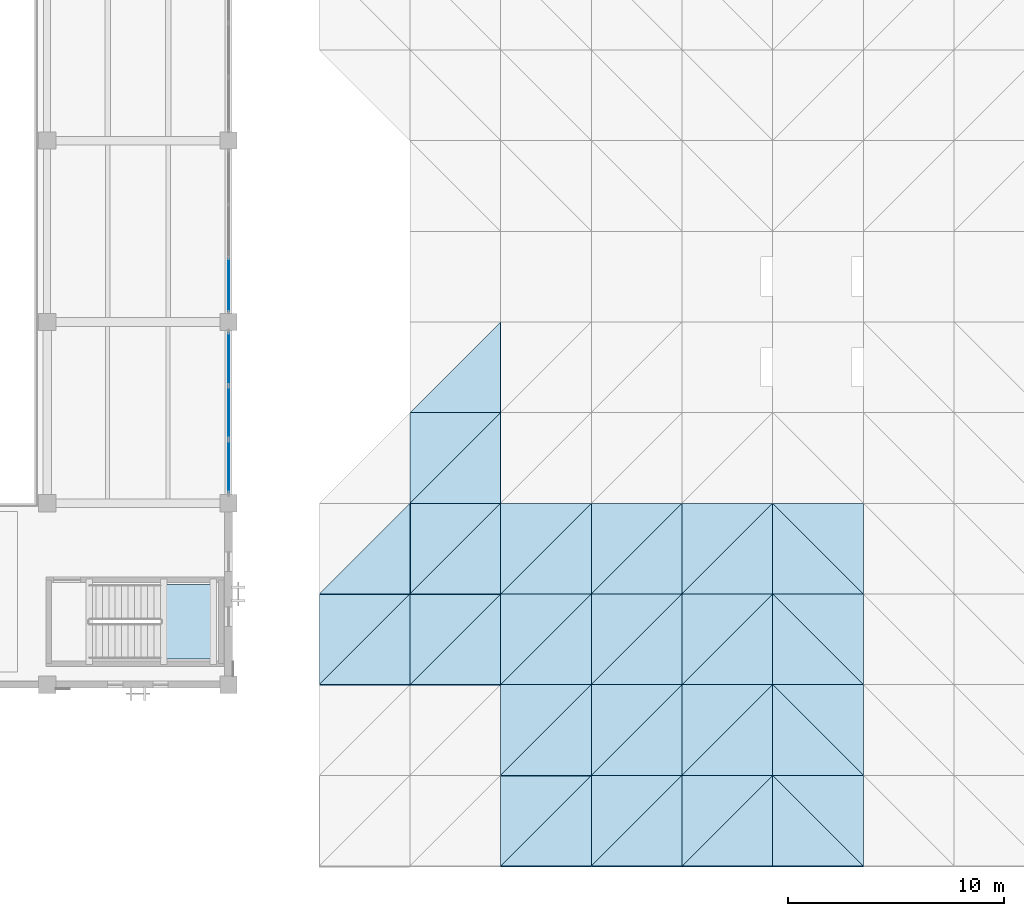
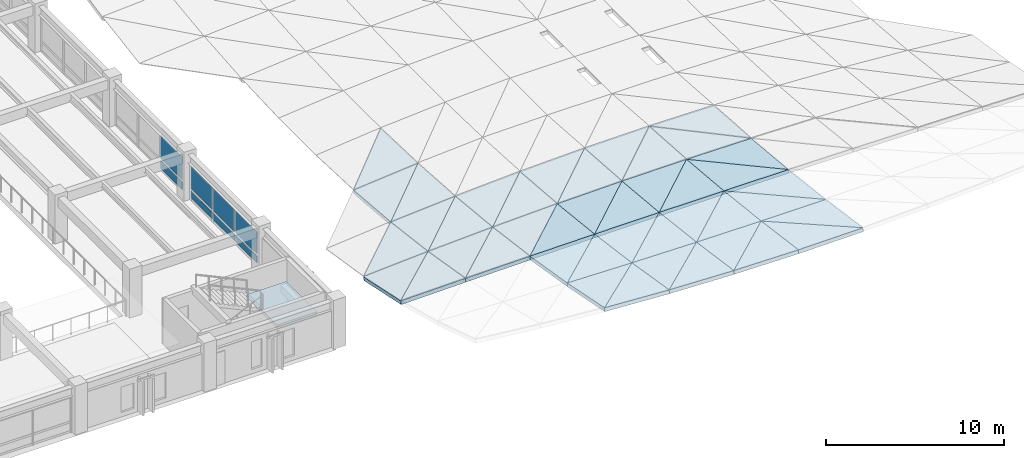
# One storey, part 62 of 123: 43 slabs, 8 plates, 3 elements without a shape of their own.
"""IFC4 building model written with IfcOpenShell, lengths in metres."""

import ifcopenshell
import ifcopenshell.guid

model = None  # the IFC model being written
_history = None  # IfcOwnerHistory: only IFC2X3 demands one
_inside = {}  # id of a spatial element -> (the spatial element, [elements in it])
_under = {}  # id of a project, library or spatial element -> (it, [spatial elements below it])
_declared = {}  # id of a project -> (the project, [libraries it declares])
_typed = {}  # id of a type object -> (the type object, [elements of that type])
_made_of = {}  # id of a material, layer set ... -> (it, [elements and type objects made of it])


def new_model(schema):
    """Start an empty IFC model of exactly this schema.

    Asked for "IFC4X3", IfcOpenShell would pick the latest addendum, in which some entities
    have other attributes; the version numbers below select the first issue.
    IFC2X3 requires an IfcOwnerHistory on every rooted entity: one is made here for all.
    """
    global model, _history
    if schema == "IFC4X3":
        model = ifcopenshell.file(schema_version=(4, 3, 0, 0))
    else:
        model = ifcopenshell.file(schema=schema)
    _inside.clear()
    _under.clear()
    _declared.clear()
    _typed.clear()
    _made_of.clear()
    _history = None
    if model.schema == "IFC2X3":
        org = make("IfcOrganization", Name="unknown")
        user = make(
            "IfcPersonAndOrganization",
            ThePerson=make("IfcPerson", FamilyName="unknown"),
            TheOrganization=org,
        )
        app = make(
            "IfcApplication",
            ApplicationDeveloper=org,
            Version="unknown",
            ApplicationFullName="unknown",
            ApplicationIdentifier="unknown",
        )
        _history = make(
            "IfcOwnerHistory",
            OwningUser=user,
            OwningApplication=app,
            ChangeAction="ADDED",
            CreationDate=0,
        )
    return model


def make(cls, **values):
    """One entity of the class cls with the attributes given. An attribute that is None is left unset."""
    return model.create_entity(
        cls, **{name: value for name, value in values.items() if value is not None}
    )


def rooted(cls, **values):
    """An entity with a GlobalId (a new one), such as an element, a storey or a relation."""
    return make(cls, GlobalId=ifcopenshell.guid.new(), OwnerHistory=_history, **values)


def si_unit(unit_type, name, prefix=None):
    """IfcSIUnit, for example si_unit("LENGTHUNIT", "METRE", prefix="MILLI")."""
    return make("IfcSIUnit", UnitType=unit_type, Prefix=prefix, Name=name)


def assignment(units):
    """IfcUnitAssignment: the units of a project."""
    return None if units is None else make("IfcUnitAssignment", Units=units)


def point(xyz):
    """IfcCartesianPoint."""
    return None if xyz is None else make("IfcCartesianPoint", Coordinates=xyz)


def direction(xyz):
    """IfcDirection."""
    return None if xyz is None else make("IfcDirection", DirectionRatios=xyz)


def frame(location, z_axis=None, x_axis=None):
    """IfcAxis2Placement3D, a coordinate frame: its origin and axes. An axis left out is left unset."""
    return make(
        "IfcAxis2Placement3D",
        Location=point(location),
        Axis=direction(z_axis),
        RefDirection=direction(x_axis),
    )


def frame_2d(location, x_axis=None):
    """IfcAxis2Placement2D, a coordinate frame in the plane: its origin and x axis."""
    return make(
        "IfcAxis2Placement2D", Location=point(location), RefDirection=direction(x_axis)
    )


def origin():
    """The frame at (0, 0, 0) with its axes left unset."""
    return frame((0.0, 0.0, 0.0))


def origin_2d():
    """The frame at (0, 0) in the plane with its x axis left unset."""
    return frame_2d((0.0, 0.0))


def place(relative_to, where):
    """IfcLocalPlacement: puts the frame where relative to a parent placement (None: the world)."""
    return make(
        "IfcLocalPlacement", PlacementRelTo=relative_to, RelativePlacement=where
    )


def context(
    kind, dimensions, precision=None, world=None, true_north=None, identifier=None
):
    """IfcGeometricRepresentationContext, for example the 3D "Model" context."""
    return make(
        "IfcGeometricRepresentationContext",
        ContextIdentifier=identifier,
        ContextType=kind,
        CoordinateSpaceDimension=dimensions,
        Precision=precision,
        WorldCoordinateSystem=world,
        TrueNorth=true_north,
    )


def subcontext(parent, identifier, kind, view, scale=None):
    """IfcGeometricRepresentationSubContext, for example "Body" below "Model"."""
    return make(
        "IfcGeometricRepresentationSubContext",
        ContextIdentifier=identifier,
        ContextType=kind,
        ParentContext=parent,
        TargetScale=scale,
        TargetView=view,
    )


def project(units=None, contexts=None):
    """IfcProject with its units and contexts."""
    return rooted(
        "IfcProject",
        Name="project",
        RepresentationContexts=contexts,
        UnitsInContext=assignment(units),
    )


def spatial(cls, under=None, at=None, **own):
    """A site, building, storey or space (cls), placed at a placement, below another one or the project."""
    s = rooted(cls, ObjectPlacement=at, **own)
    if under is not None:
        _under.setdefault(under.id(), (under, []))[1].append(s)
    return s


def polyline(points):
    """IfcPolyline through the points."""
    return make("IfcPolyline", Points=[point(p) for p in points])


def profile(cls, at=None, kind="AREA", **sizes):
    """A parametric profile (cls). Its sizes go by their IFC names, for example OverallWidth=200.0."""
    return make(cls, ProfileType=kind, Position=at, **sizes)


def rectangle(**sizes):
    """IfcRectangleProfileDef."""
    return profile("IfcRectangleProfileDef", **sizes)


def outline(outer, holes=None, kind="AREA"):
    """IfcArbitraryClosedProfileDef: a profile drawn as a closed curve; with holes, ...WithVoids."""
    if holes is None:
        return make("IfcArbitraryClosedProfileDef", ProfileType=kind, OuterCurve=outer)
    return make(
        "IfcArbitraryProfileDefWithVoids",
        ProfileType=kind,
        OuterCurve=outer,
        InnerCurves=holes,
    )


def extrude(swept, where, along, depth):
    """IfcExtrudedAreaSolid: the profile swept, set in the frame where, extruded along a direction by depth."""
    return make(
        "IfcExtrudedAreaSolid",
        SweptArea=swept,
        Position=where,
        ExtrudedDirection=direction(along),
        Depth=depth,
    )


def shape(context_of_items, identifier, shape_type, items):
    """IfcShapeRepresentation: the items that make up one representation, for example the "Body"."""
    return make(
        "IfcShapeRepresentation",
        ContextOfItems=context_of_items,
        RepresentationIdentifier=identifier,
        RepresentationType=shape_type,
        Items=items,
    )


def material(Name=None, Category=None):
    """IfcMaterial."""
    return make("IfcMaterial", Name=Name, Category=Category)


def layer(
    of_material, thickness, ventilated=None, Name=None, Category=None, Priority=None
):
    """IfcMaterialLayer: one layer of a wall or slab, of a material (None: an air gap)."""
    return make(
        "IfcMaterialLayer",
        Material=of_material,
        LayerThickness=thickness,
        IsVentilated=ventilated,
        Name=Name,
        Category=Category,
        Priority=Priority,
    )


def layer_set(layers, Name=None):
    """IfcMaterialLayerSet."""
    return make("IfcMaterialLayerSet", MaterialLayers=layers, LayerSetName=Name)


def made_of(thing, what):
    """Note that an element or type object is made of a material, layer set ...; save() writes the relation."""
    if what is not None:
        _made_of.setdefault(what.id(), (what, []))[1].append(thing)
    return thing


def type_object(cls, material=None, **own):
    """A type object (cls), such as IfcWallType, which elements share."""
    return made_of(rooted(cls, **own), material)


def element(
    cls,
    number,
    at=None,
    inside=None,
    cuts=None,
    type_object=None,
    material=None,
    context=None,
    identifier="Body",
    shape_type=None,
    held_by="IfcProductDefinitionShape",
    body=None,
    shapes=None,
    **own,
):
    """One element of the class cls, such as IfcWall. Its Tag is "e" and its number.

    at: its placement. inside: the storey or other place that contains it. cuts: it is an
    opening in that element (IfcRelVoidsElement). A single representation is given by context,
    identifier, shape_type and body (its items); several are given by shapes. held_by: the class
    of the entity that holds the representations. save() writes the other relations.
    """
    e = rooted(cls, Tag="e%d" % number, ObjectPlacement=at, **own)
    if body is not None:
        shapes = [shape(context, identifier, shape_type, body)]
    if shapes is not None:
        e.Representation = make(held_by, Representations=shapes)
    if inside is not None:
        _inside.setdefault(inside.id(), (inside, []))[1].append(e)
    if cuts is not None:
        rooted(
            "IfcRelVoidsElement", RelatingBuildingElement=cuts, RelatedOpeningElement=e
        )
    if type_object is not None:
        _typed.setdefault(type_object.id(), (type_object, []))[1].append(e)
    return made_of(e, material)


def aggregate(whole, parts):
    """IfcRelAggregates: a whole, such as a stair, and the parts it consists of."""
    return rooted("IfcRelAggregates", RelatingObject=whole, RelatedObjects=parts)


def save(model, path):
    """Write the relations noted so far, then the file.

    IfcRelAggregates (storeys below a building ...), IfcRelContainedInSpatialStructure (elements
    in a storey), IfcRelDefinesByType, IfcRelAssociatesMaterial and IfcRelDeclares: one each for
    every whole, place, type object, material and project.
    """
    for whole, parts in _under.values():
        aggregate(whole, parts)
    for where, things in _inside.values():
        rooted(
            "IfcRelContainedInSpatialStructure",
            RelatedElements=things,
            RelatingStructure=where,
        )
    for kind, things in _typed.values():
        rooted("IfcRelDefinesByType", RelatedObjects=things, RelatingType=kind)
    for what, things in _made_of.values():
        rooted("IfcRelAssociatesMaterial", RelatedObjects=things, RelatingMaterial=what)
    for by, libraries in _declared.values():
        rooted("IfcRelDeclares", RelatingContext=by, RelatedDefinitions=libraries)
    model.write(path)


model = new_model("IFC4")

# Units and contexts
model_context = context("Model", 3, precision=1e-05, world=origin(), true_north=direction((0.0, 1.0)))
body_context = subcontext(model_context, "Body", "Model", "MODEL_VIEW")
ifc_project = project(units=[si_unit("LENGTHUNIT", "METRE"), si_unit("AREAUNIT", "SQUARE_METRE"), si_unit("VOLUMEUNIT", "CUBIC_METRE"), si_unit("PLANEANGLEUNIT", "RADIAN"), si_unit("MASSUNIT", "GRAM", prefix="KILO")], contexts=[model_context])

# Site, building, storey
site_placement = place(None, origin())
site = spatial("IfcSite", under=ifc_project, at=site_placement, CompositionType="ELEMENT")
building_placement = place(site_placement, origin())
building = spatial("IfcBuilding", under=site, at=building_placement, Name="Cumbredor Promenade Congress Hotel", CompositionType="ELEMENT")
storey_placement = place(building_placement, frame((0.0, 0.0, 11.760009765625)))
storey = spatial("IfcBuildingStorey", under=building, at=storey_placement, Name="L03", CompositionType="ELEMENT", Elevation=11.760009765625)

# Stair, slab
ifc_material_1 = material(Name="Concrete C40/50", Category="concrete")
stair_type = type_object("IfcStairType", Name="Protected Dog-Leg Exit Stair ST-T3 1650mm", PredefinedType="HALF_TURN_STAIR", material=ifc_material_1)
stair_placement = place(storey_placement, origin())
stair = element("IfcStair", 1, at=stair_placement, inside=storey, type_object=stair_type, Name="L03 Protected Exit Stair ST-05", PredefinedType="HALF_TURN_STAIR")
ifc_layer_1 = layer(ifc_material_1, 0.199951171875, Name="Concrete C40/50", Category="concrete")
ifc_layer_set_1 = layer_set([ifc_layer_1], Name="Concrete C40/50")
slab_type_1 = type_object("IfcSlabType", Name="Concrete Stair Landing Slab 200mm", PredefinedType="LANDING", material=ifc_layer_set_1)
slab_1_placement = place(storey_placement, frame((0.0, 0.0, 1.47998046875)))
slab_1 = element("IfcSlab", 2, at=slab_1_placement, type_object=slab_type_1, Name="ST-05 landing 1", PredefinedType="LANDING", context=body_context, shape_type="SweptSolid", body=[
    extrude(outline(polyline([(64.050048828125, 9.60009765625), (66.64990234375, 9.60009765625), (66.64990234375, 13.050048828125), (64.050048828125, 13.050048828125), (64.050048828125, 9.60009765625)])), origin(), (0.0, 0.0, 1.0), 0.199951171875),
])
aggregate(stair, [slab_1])

# Curtain wall, plate
ifc_material_2 = material(Name="Thermally broken anodized aluminium and low-E glass", Category="aluminium")
curtain_wall_type = type_object("IfcCurtainWallType", Name="Unitised Bronze Curtain Wall CW-01", PredefinedType="NOTDEFINED", material=ifc_material_2)
curtain_wall_1_placement = place(storey_placement, origin())
curtain_wall_1 = element("IfcCurtainWall", 3, at=curtain_wall_1_placement, inside=storey, type_object=curtain_wall_type, Name="L03 Plenary Congress Hall East Curtain Wall 3", PredefinedType="NOTDEFINED")
ifc_material_3 = material(Name="Laminated low-E solar-control glass", Category="glass")
ifc_layer_2 = layer(ifc_material_3, 0.028076171875, Name="Laminated low-E solar-control glass", Category="glass")
ifc_layer_set_2 = layer_set([ifc_layer_2], Name="Laminated low-E solar-control glass")
plate_type_1 = type_object("IfcPlateType", Name="Glazed Vision Panel PNL-01", PredefinedType="CURTAIN_PANEL", material=ifc_layer_set_2)
plate_1_placement = place(storey_placement, frame((67.199951171875, 26.9033203125, 0.784912109375), z_axis=(0.0, 0.0, 1.0), x_axis=(0.0, 1.0, 0.0)))
plate_1 = element("IfcPlate", 4, at=plate_1_placement, type_object=plate_type_1, Name="L03 Plenary Congress Hall East Curtain Wall 3 Glazing Panel 1.2", PredefinedType="CURTAIN_PANEL", context=body_context, shape_type="SweptSolid", body=[
    extrude(rectangle(XDim=2.431640625, YDim=0.028076171875, at=origin_2d()), origin(), (0.0, 0.0, 1.0), 1.580078125),
])

# Curtain wall, plates
curtain_wall_2_placement = place(storey_placement, origin())
curtain_wall_2 = element("IfcCurtainWall", 5, at=curtain_wall_2_placement, inside=storey, type_object=curtain_wall_type, Name="L03 Plenary Congress Hall East Curtain Wall 2", PredefinedType="NOTDEFINED")
ifc_layer_3 = layer(ifc_material_3, 0.028076171875, Name="Laminated low-E solar-control glass", Category="glass")
ifc_layer_set_3 = layer_set([ifc_layer_3], Name="Laminated low-E solar-control glass")
plate_type_2 = type_object("IfcPlateType", Name="Glazed Vision Panel PNL-03", PredefinedType="CURTAIN_PANEL", material=ifc_layer_set_3)
plate_2_placement = place(storey_placement, frame((67.199951171875, 18.50341796875, 0.81005859375), z_axis=(0.0, 0.0, 1.0), x_axis=(0.0, 1.0, 0.0)))
plate_2 = element("IfcPlate", 6, at=plate_2_placement, type_object=plate_type_2, Name="L03 Plenary Congress Hall East Curtain Wall 2 Glazing Panel 1.2", PredefinedType="CURTAIN_PANEL", context=body_context, shape_type="SweptSolid", body=[
    extrude(rectangle(XDim=2.416748046875, YDim=0.028076171875, at=origin_2d()), origin(), (0.0, 0.0, 1.0), 1.5),
])
plate_3_placement = place(storey_placement, frame((67.199951171875, 21.0, 0.81005859375), z_axis=(0.0, 0.0, 1.0), x_axis=(0.0, 1.0, 0.0)))
plate_3 = element("IfcPlate", 7, at=plate_3_placement, type_object=plate_type_2, Name="L03 Plenary Congress Hall East Curtain Wall 2 Glazing Panel 2.2", PredefinedType="CURTAIN_PANEL", context=body_context, shape_type="SweptSolid", body=[
    extrude(rectangle(XDim=2.41650390625, YDim=0.028076171875, at=origin_2d()), origin(), (0.0, 0.0, 1.0), 1.5),
])
plate_4_placement = place(storey_placement, frame((67.199951171875, 23.49658203125, 0.81005859375), z_axis=(0.0, 0.0, 1.0), x_axis=(0.0, 1.0, 0.0)))
plate_4 = element("IfcPlate", 8, at=plate_4_placement, type_object=plate_type_2, Name="L03 Plenary Congress Hall East Curtain Wall 2 Glazing Panel 3.2", PredefinedType="CURTAIN_PANEL", context=body_context, shape_type="SweptSolid", body=[
    extrude(rectangle(XDim=2.416748046875, YDim=0.028076171875, at=origin_2d()), origin(), (0.0, 0.0, 1.0), 1.5),
])

# Plate
ifc_material_4 = material(Name="Thermally broken anodized aluminium", Category="aluminium")
ifc_layer_4 = layer(ifc_material_4, 0.0400390625, Name="Thermally broken anodized aluminium", Category="aluminium")
ifc_layer_set_4 = layer_set([ifc_layer_4], Name="Thermally broken anodized aluminium")
plate_type_3 = type_object("IfcPlateType", Name="Insulated Spandrel Panel PNL-05", PredefinedType="CURTAIN_PANEL", material=ifc_layer_set_4)
plate_5_placement = place(storey_placement, frame((67.199951171875, 26.9033203125, 0.125), z_axis=(0.0, 0.0, 1.0), x_axis=(0.0, 1.0, 0.0)))
plate_5 = element("IfcPlate", 9, at=plate_5_placement, type_object=plate_type_3, Name="L03 Plenary Congress Hall East Curtain Wall 3 Spandrel Panel 1.1", PredefinedType="CURTAIN_PANEL", context=body_context, shape_type="SweptSolid", body=[
    extrude(rectangle(XDim=2.431640625, YDim=0.0400390625, at=origin_2d()), origin(), (0.0, 0.0, 1.0), 0.530029296875),
])

aggregate(curtain_wall_1, [plate_5, plate_1])

ifc_layer_5 = layer(ifc_material_4, 0.0400390625, Name="Thermally broken anodized aluminium", Category="aluminium")
ifc_layer_set_5 = layer_set([ifc_layer_5], Name="Thermally broken anodized aluminium")
plate_type_4 = type_object("IfcPlateType", Name="Insulated Spandrel Panel PNL-06", PredefinedType="CURTAIN_PANEL", material=ifc_layer_set_5)
plate_6_placement = place(storey_placement, frame((67.199951171875, 18.50341796875, 0.18017578125), z_axis=(0.0, 0.0, 1.0), x_axis=(0.0, 1.0, 0.0)))
plate_6 = element("IfcPlate", 10, at=plate_6_placement, type_object=plate_type_4, Name="L03 Plenary Congress Hall East Curtain Wall 2 Spandrel Panel 1.1", PredefinedType="CURTAIN_PANEL", context=body_context, shape_type="SweptSolid", body=[
    extrude(rectangle(XDim=2.416748046875, YDim=0.0400390625, at=origin_2d()), origin(), (0.0, 0.0, 1.0), 0.449951171875),
])

plate_7_placement = place(storey_placement, frame((67.199951171875, 21.0, 0.18017578125), z_axis=(0.0, 0.0, 1.0), x_axis=(0.0, 1.0, 0.0)))
plate_7 = element("IfcPlate", 11, at=plate_7_placement, type_object=plate_type_4, Name="L03 Plenary Congress Hall East Curtain Wall 2 Spandrel Panel 2.1", PredefinedType="CURTAIN_PANEL", context=body_context, shape_type="SweptSolid", body=[
    extrude(rectangle(XDim=2.41650390625, YDim=0.0400390625, at=origin_2d()), origin(), (0.0, 0.0, 1.0), 0.449951171875),
])

plate_8_placement = place(storey_placement, frame((67.199951171875, 23.49658203125, 0.18017578125), z_axis=(0.0, 0.0, 1.0), x_axis=(0.0, 1.0, 0.0)))
plate_8 = element("IfcPlate", 12, at=plate_8_placement, type_object=plate_type_4, Name="L03 Plenary Congress Hall East Curtain Wall 2 Spandrel Panel 3.1", PredefinedType="CURTAIN_PANEL", context=body_context, shape_type="SweptSolid", body=[
    extrude(rectangle(XDim=2.416748046875, YDim=0.0400390625, at=origin_2d()), origin(), (0.0, 0.0, 1.0), 0.449951171875),
])

aggregate(curtain_wall_2, [plate_6, plate_2, plate_7, plate_3, plate_8, plate_4])

# Slabs
ifc_layer_6 = layer(ifc_material_1, 0.2451171875, Name="Concrete C40/50", Category="concrete")
ifc_layer_set_6 = layer_set([ifc_layer_6], Name="Concrete C40/50")
slab_type_2 = type_object("IfcSlabType", Name="Spa Catenary Roof Deck 245mm", PredefinedType="ROOF", material=ifc_layer_set_6)
slab_2_placement = place(storey_placement, frame((71.39990234375, 8.39990234375, 1.49267578125), z_axis=(-0.01742317198, 0.165749386072, 0.986013982708), x_axis=(0.999843916636, 0.0, 0.017667551189)))
element("IfcSlab", 13, at=slab_2_placement, inside=storey, type_object=slab_type_2, Name="Thermal Spa and Hydrotherapy Pavilion Sweeping Roof Deck Facet 1.3.1", PredefinedType="ROOF", context=body_context, shape_type="SweptSolid", body=[
    extrude(outline(polyline([(0.0, 0.0), (4.200850995453009, 1.734723475976807e-18), (4.188376738119289, 4.259107685629898), (0.0, 0.0)])), origin(), (0.0, 0.0, -1.0), 0.2451171875),
])
slab_3_placement = place(storey_placement, frame((71.39990234375, 8.39990234375, 1.49267578125), z_axis=(-0.059996718888, 0.206895023979, 0.976521808653), x_axis=(0.703140091223, 0.703140091223, -0.105773457108)))
element("IfcSlab", 14, at=slab_3_placement, inside=storey, type_object=slab_type_2, Name="Thermal Spa and Hydrotherapy Pavilion Sweeping Roof Deck Facet 1.3.2", PredefinedType="ROOF", context=body_context, shape_type="SweptSolid", body=[
    extrude(outline(polyline([(0.0, 0.0), (5.9734829018095015, -1.3877787807814457e-16), (3.047452729630566, 3.0243315500150025), (0.0, 0.0)])), origin(), (0.0, 0.0, -1.0), 0.2451171875),
])
slab_4_placement = place(storey_placement, frame((71.39990234375, 12.60009765625, 0.602783203125), z_axis=(-0.060844105391, 0.12480386787, 0.990314086239), x_axis=(0.998117938936, 0.0, 0.06132356786)))
element("IfcSlab", 15, at=slab_4_placement, inside=storey, type_object=slab_type_2, Name="Thermal Spa and Hydrotherapy Pavilion Sweeping Roof Deck Facet 1.4.1", PredefinedType="ROOF", context=body_context, shape_type="SweptSolid", body=[
    extrude(outline(polyline([(0.0, 0.0), (4.208115242352285, 6.938893903907228e-18), (4.1756568695204, 4.2330475407266634), (0.0, 0.0)])), origin(), (0.0, 0.0, -1.0), 0.2451171875),
])
slab_5_placement = place(storey_placement, frame((75.60009765625, 8.39990234375, 1.56689453125), z_axis=(-0.013595784884, 0.132781621137, 0.991052065091), x_axis=(0.999905914145, 0.0, 0.013717246744)))
element("IfcSlab", 16, at=slab_5_placement, inside=storey, type_object=slab_type_2, Name="Thermal Spa and Hydrotherapy Pavilion Sweeping Roof Deck Facet 2.3.1", PredefinedType="ROOF", context=body_context, shape_type="SweptSolid", body=[
    extrude(outline(polyline([(0.0, 0.0), (4.2003463650548625, 0.0), (4.192627064824132, 4.237718967010282), (0.0, 0.0)])), origin(), (0.0, 0.0, -1.0), 0.2451171875),
])
slab_6_placement = place(storey_placement, frame((75.60009765625, 8.39990234375, 1.56689453125), z_axis=(-0.047126138535, 0.165590365392, 0.985067996615), x_axis=(0.704543197141, 0.704584151812, -0.084735213328)))
element("IfcSlab", 17, at=slab_6_placement, inside=storey, type_object=slab_type_2, Name="Thermal Spa and Hydrotherapy Pavilion Sweeping Roof Deck Facet 2.3.2", PredefinedType="ROOF", context=body_context, shape_type="SweptSolid", body=[
    extrude(outline(polyline([(0.0, 0.0), (5.961240118302106, -4.163336342344337e-17), (3.0192187462681486, 3.004075905677266), (0.0, 0.0)])), origin(), (0.0, 0.0, -1.0), 0.2451171875),
])
slab_7_placement = place(storey_placement, frame((75.60009765625, 12.60009765625, 0.86083984375), z_axis=(-0.047546844319, 0.099888813886, 0.993861923235), x_axis=(0.998857604206, 0.0, 0.047785840159)))
element("IfcSlab", 18, at=slab_7_placement, inside=storey, type_object=slab_type_2, Name="Thermal Spa and Hydrotherapy Pavilion Sweeping Roof Deck Facet 2.4.1", PredefinedType="ROOF", context=body_context, shape_type="SweptSolid", body=[
    extrude(outline(polyline([(0.0, 0.0), (4.204754665919911, 0.0), (4.184583348137795, 4.221062370180653), (0.0, 0.0)])), origin(), (0.0, 0.0, -1.0), 0.2451171875),
])
slab_8_placement = place(storey_placement, frame((75.60009765625, 12.60009765625, 0.86083984375), z_axis=(-0.072591572305, 0.124705648778, 0.989534721368), x_axis=(0.706616978007, 0.706616978007, -0.037214147653)))
element("IfcSlab", 19, at=slab_8_placement, inside=storey, type_object=slab_type_2, Name="Thermal Spa and Hydrotherapy Pavilion Sweeping Roof Deck Facet 2.4.2", PredefinedType="ROOF", context=body_context, shape_type="SweptSolid", body=[
    extrude(outline(polyline([(0.0, 0.0), (5.943745059343244, -5.447031714567174e-16), (2.987454136904249, 2.9991436791045274), (0.0, 0.0)])), origin(), (0.0, 0.0, -1.0), 0.2451171875),
])
slab_9_placement = place(storey_placement, frame((75.60009765625, 16.800048828125, 0.33154296875), z_axis=(-0.073000075678, 0.066637153076, 0.995103250312), x_axis=(0.997320018789, 0.0, 0.073162696257)))
element("IfcSlab", 20, at=slab_9_placement, inside=storey, type_object=slab_type_2, Name="Thermal Spa and Hydrotherapy Pavilion Sweeping Roof Deck Facet 2.5.1", PredefinedType="ROOF", context=body_context, shape_type="SweptSolid", body=[
    extrude(outline(polyline([(0.0, 0.0), (4.211237208470671, 3.469446951953614e-18), (4.190660200148357, 4.2093073058833195), (0.0, 0.0)])), origin(), (0.0, 0.0, -1.0), 0.2451171875),
])
slab_10_placement = place(storey_placement, frame((75.60009765625, 16.800048828125, 0.33154296875), z_axis=(-0.089767614884, 0.083421575271, 0.992462904142), x_axis=(0.707099553566, 0.707099553566, 0.004521359698)))
element("IfcSlab", 21, at=slab_10_placement, inside=storey, type_object=slab_type_2, Name="Thermal Spa and Hydrotherapy Pavilion Sweeping Roof Deck Facet 2.5.2", PredefinedType="ROOF", context=body_context, shape_type="SweptSolid", body=[
    extrude(outline(polyline([(0.0, 0.0), (5.939688620497725, 6.895525817007808e-17), (2.9681874350273394, 2.992337130424177), (0.0, 0.0)])), origin(), (0.0, 0.0, -1.0), 0.2451171875),
])
slab_11_placement = place(storey_placement, frame((75.60009765625, 21.0, -0.021484375), z_axis=(-0.090031391617, 0.033385676711, 0.995379196645), x_axis=(0.995934387325, 0.0, 0.090081608247)))
element("IfcSlab", 22, at=slab_11_placement, inside=storey, type_object=slab_type_2, Name="Thermal Spa and Hydrotherapy Pavilion Sweeping Roof Deck Facet 2.6.1", PredefinedType="ROOF", context=body_context, shape_type="SweptSolid", body=[
    extrude(outline(polyline([(0.0, 0.0), (4.2170962518499735, 1.734723475976807e-18), (4.204406533110069, 4.202293770306035), (0.0, 0.0)])), origin(), (0.0, 0.0, -1.0), 0.2451171875),
])
slab_12_placement = place(storey_placement, frame((79.800048828125, 0.0, 3.171875), z_axis=(0.056294469809, 0.162011246277, 0.985181855674), x_axis=(0.998371428865, 0.0, -0.0570481378)))
element("IfcSlab", 23, at=slab_12_placement, inside=storey, type_object=slab_type_2, Name="Thermal Spa and Hydrotherapy Pavilion Sweeping Roof Deck Facet 3.1.1", PredefinedType="ROOF", context=body_context, shape_type="SweptSolid", body=[
    extrude(outline(polyline([(0.0, 0.0), (4.206802248588535, -6.938893903907228e-18), (4.246203904310292, 4.2561799412756764), (0.0, 0.0)])), origin(), (0.0, 0.0, -1.0), 0.2451171875),
])
slab_13_placement = place(storey_placement, frame((79.800048828125, 0.0, 3.171875), z_axis=(0.020227342875, 0.196974434701, 0.980199942193), x_axis=(0.698583353557, 0.698583353557, -0.154798566748)))
element("IfcSlab", 24, at=slab_13_placement, inside=storey, type_object=slab_type_2, Name="Thermal Spa and Hydrotherapy Pavilion Sweeping Roof Deck Facet 3.1.2", PredefinedType="ROOF", context=body_context, shape_type="SweptSolid", body=[
    extrude(outline(polyline([(0.0, 0.0), (6.012097411843672, -5.551115123125783e-17), (3.0646650577346866, 2.9932831539036813), (0.0, 0.0)])), origin(), (0.0, 0.0, -1.0), 0.2451171875),
])
slab_14_placement = place(storey_placement, frame((79.800048828125, 4.199951171875, 2.327880859375), z_axis=(0.020440500208, 0.135770984479, 0.990529366412), x_axis=(0.99978714706, 0.0, -0.020631543173)))
element("IfcSlab", 25, at=slab_14_placement, inside=storey, type_object=slab_type_2, Name="Thermal Spa and Hydrotherapy Pavilion Sweeping Roof Deck Facet 3.2.1", PredefinedType="ROOF", context=body_context, shape_type="SweptSolid", body=[
    extrude(outline(polyline([(0.0, 0.0), (4.20084533415502, -1.734723475976807e-18), (4.2127225750735, 4.239205158681903), (0.0, 0.0)])), origin(), (0.0, 0.0, -1.0), 0.2451171875),
])
slab_15_placement = place(storey_placement, frame((79.800048828125, 4.199951171875, 2.327880859375), z_axis=(-0.009631159538, 0.165162920406, 0.986219270999), x_axis=(0.702750773455, 0.702750773455, -0.11082734688)))
element("IfcSlab", 26, at=slab_15_placement, inside=storey, type_object=slab_type_2, Name="Thermal Spa and Hydrotherapy Pavilion Sweeping Roof Deck Facet 3.2.2", PredefinedType="ROOF", context=body_context, shape_type="SweptSolid", body=[
    extrude(outline(polyline([(0.0, 0.0), (5.976444751851152, -1.5265566588595902e-16), (3.0294714702417824, 2.9927613678856573), (0.0, 0.0)])), origin(), (0.0, 0.0, -1.0), 0.2451171875),
])
slab_16_placement = place(storey_placement, frame((79.800048828125, 8.39990234375, 1.62451171875), z_axis=(-0.009707123548, 0.108967683698, 0.9939978952), x_axis=(0.999952318586, 0.0, 0.00976527289)))
element("IfcSlab", 27, at=slab_16_placement, inside=storey, type_object=slab_type_2, Name="Thermal Spa and Hydrotherapy Pavilion Sweeping Roof Deck Facet 3.3.1", PredefinedType="ROOF", context=body_context, shape_type="SweptSolid", body=[
    extrude(outline(polyline([(0.0, 0.0), (4.200151441034993, -8.673617379884035e-19), (4.195655028762026, 4.225356071205258), (0.0, 0.0)])), origin(), (0.0, 0.0, -1.0), 0.2451171875),
])
slab_17_placement = place(storey_placement, frame((79.800048828125, 8.39990234375, 1.62451171875), z_axis=(-0.033800435751, 0.132718016709, 0.990577335993), x_axis=(0.705329905683, 0.705370906084, -0.070438689645)))
element("IfcSlab", 28, at=slab_17_placement, inside=storey, type_object=slab_type_2, Name="Thermal Spa and Hydrotherapy Pavilion Sweeping Roof Deck Facet 3.3.2", PredefinedType="ROOF", context=body_context, shape_type="SweptSolid", body=[
    extrude(outline(polyline([(0.0, 0.0), (5.954591089978153, -1.5265566588595902e-16), (3.002334533180626, 2.9907037602921847), (0.0, 0.0)])), origin(), (0.0, 0.0, -1.0), 0.2451171875),
])
slab_18_placement = place(storey_placement, frame((79.800048828125, 12.60009765625, 1.061767578125), z_axis=(-0.033987624499, 0.081871381671, 0.996063209964), x_axis=(0.999418353939, 0.0, 0.034102108572)))
element("IfcSlab", 29, at=slab_18_placement, inside=storey, type_object=slab_type_2, Name="Thermal Spa and Hydrotherapy Pavilion Sweeping Roof Deck Facet 3.4.1", PredefinedType="ROOF", context=body_context, shape_type="SweptSolid", body=[
    extrude(outline(polyline([(0.0, 0.0), (4.202395478650219, 1.734723475976807e-18), (4.190622924568024, 4.214098307046232), (0.0, 0.0)])), origin(), (0.0, 0.0, -1.0), 0.2451171875),
])
slab_19_placement = place(storey_placement, frame((79.800048828125, 12.60009765625, 1.061767578125), z_axis=(-0.052099032144, 0.099866104852, 0.993635975572), x_axis=(0.706698601416, 0.706698601416, -0.033973129301)))
element("IfcSlab", 30, at=slab_19_placement, inside=storey, type_object=slab_type_2, Name="Thermal Spa and Hydrotherapy Pavilion Sweeping Roof Deck Facet 3.4.2", PredefinedType="ROOF", context=body_context, shape_type="SweptSolid", body=[
    extrude(outline(polyline([(0.0, 0.0), (5.943058559139811, -1.4224732503009818e-16), (2.982440327322809, 2.987109658009694), (0.0, 0.0)])), origin(), (0.0, 0.0, -1.0), 0.2451171875),
])
slab_20_placement = place(storey_placement, frame((84.0, 0.0, 2.931884765625), z_axis=(0.033875908374, 0.141082518236, 0.989418084472), x_axis=(0.999414387158, 0.0, -0.034218163927)))
element("IfcSlab", 31, at=slab_20_placement, inside=storey, type_object=slab_type_2, Name="Thermal Spa and Hydrotherapy Pavilion Sweeping Roof Deck Facet 4.1.1", PredefinedType="ROOF", context=body_context, shape_type="SweptSolid", body=[
    extrude(outline(polyline([(0.0, 0.0), (4.202412158404303, 0.0), (4.222904628158422, 4.242384177535298), (0.0, 0.0)])), origin(), (0.0, 0.0, -1.0), 0.2451171875),
])
slab_21_placement = place(storey_placement, frame((84.0, 0.0, 2.931884765625), z_axis=(0.012216552211, 0.162256461051, 0.986672993802), x_axis=(0.701643183062, 0.701643183062, -0.124071299359)))
element("IfcSlab", 32, at=slab_21_placement, inside=storey, type_object=slab_type_2, Name="Thermal Spa and Hydrotherapy Pavilion Sweeping Roof Deck Facet 4.1.2", PredefinedType="ROOF", context=body_context, shape_type="SweptSolid", body=[
    extrude(outline(polyline([(0.0, 0.0), (5.985878967062704, -3.0531133177191805e-16), (3.0325599082290453, 2.986670485003806), (0.0, 0.0)])), origin(), (0.0, 0.0, -1.0), 0.2451171875),
])
slab_22_placement = place(storey_placement, frame((84.0, 4.199951171875, 2.2412109375), z_axis=(0.012294149294, 0.117977658011, 0.992940142256), x_axis=(0.999923357281, 0.0, -0.012380612399)))
element("IfcSlab", 33, at=slab_22_placement, inside=storey, type_object=slab_type_2, Name="Thermal Spa and Hydrotherapy Pavilion Sweeping Roof Deck Facet 4.2.1", PredefinedType="ROOF", context=body_context, shape_type="SweptSolid", body=[
    extrude(outline(polyline([(0.0, 0.0), (4.200273092224242, 0.0), (4.206451307981973, 4.229488865922046), (0.0, 0.0)])), origin(), (0.0, 0.0, -1.0), 0.2451171875),
])
slab_23_placement = place(storey_placement, frame((84.0, 4.199951171875, 2.2412109375), z_axis=(-0.005816583131, 0.135797059638, 0.990719600066), x_axis=(0.704083438031, 0.704083438031, -0.092374371891)))
element("IfcSlab", 34, at=slab_23_placement, inside=storey, type_object=slab_type_2, Name="Thermal Spa and Hydrotherapy Pavilion Sweeping Roof Deck Facet 4.2.2", PredefinedType="ROOF", context=body_context, shape_type="SweptSolid", body=[
    extrude(outline(polyline([(0.0, 0.0), (5.965132745663068, -2.0122792321330962e-16), (3.0102944710345514, 2.984816350113674), (0.0, 0.0)])), origin(), (0.0, 0.0, -1.0), 0.2451171875),
])
slab_24_placement = place(storey_placement, frame((84.0, 8.39990234375, 1.66552734375), z_axis=(-0.005844666112, 0.094550785274, 0.995502882408), x_axis=(0.99998276572, 0.0, 0.005870967816)))
element("IfcSlab", 35, at=slab_24_placement, inside=storey, type_object=slab_type_2, Name="Thermal Spa and Hydrotherapy Pavilion Sweeping Roof Deck Facet 4.3.1", PredefinedType="ROOF", context=body_context, shape_type="SweptSolid", body=[
    extrude(outline(polyline([(0.0, 0.0), (4.20002355625722, 0.0), (4.19768147583455, 4.219096699146891), (0.0, 0.0)])), origin(), (0.0, 0.0, -1.0), 0.2451171875),
])
slab_25_placement = place(storey_placement, frame((84.0, 8.39990234375, 1.66552734375), z_axis=(-0.020393234648, 0.108950155595, 0.993838004695), x_axis=(0.705686731842, 0.705727752985, -0.062885413004)))
element("IfcSlab", 36, at=slab_25_placement, inside=storey, type_object=slab_type_2, Name="Thermal Spa and Hydrotherapy Pavilion Sweeping Roof Deck Facet 4.3.2", PredefinedType="ROOF", context=body_context, shape_type="SweptSolid", body=[
    extrude(outline(polyline([(0.0, 0.0), (5.951580187590243, -7.632783294297951e-17), (2.9931499392787058, 2.9823996357279716), (0.0, 0.0)])), origin(), (0.0, 0.0, -1.0), 0.2451171875),
])
slab_26_placement = place(storey_placement, frame((84.0, 12.60009765625, 1.205078125), z_axis=(-0.020463395145, 0.071129138365, 0.997257186053), x_axis=(0.999789537892, 0.0, 0.020515358186)))
element("IfcSlab", 37, at=slab_26_placement, inside=storey, type_object=slab_type_2, Name="Thermal Spa and Hydrotherapy Pavilion Sweeping Roof Deck Facet 4.4.1", PredefinedType="ROOF", context=body_context, shape_type="SweptSolid", body=[
    extrude(outline(polyline([(0.0, 0.0), (4.200835288524772, 0.0), (4.1946896966072, 4.210616178076342), (0.0, 0.0)])), origin(), (0.0, 0.0, -1.0), 0.2451171875),
])
slab_27_placement = place(storey_placement, frame((84.0, 12.60009765625, 1.205078125), z_axis=(-0.031269074977, 0.081878651885, 0.996151660801), x_axis=(0.706650933896, 0.706650933896, -0.035901465804)))
element("IfcSlab", 38, at=slab_27_placement, inside=storey, type_object=slab_type_2, Name="Thermal Spa and Hydrotherapy Pavilion Sweeping Roof Deck Facet 4.4.2", PredefinedType="ROOF", context=body_context, shape_type="SweptSolid", body=[
    extrude(outline(polyline([(0.0, 0.0), (5.943459451354978, -3.2612801348363973e-16), (2.980293136832387, 2.979365025140306), (0.0, 0.0)])), origin(), (0.0, 0.0, -1.0), 0.2451171875),
])
slab_28_placement = place(storey_placement, frame((88.199951171875, 0.0, 2.7880859375), z_axis=(0.011347411433, 0.134037697489, 0.990911263386), x_axis=(0.999934438125, 0.0, -0.011450740238)))
element("IfcSlab", 39, at=slab_28_placement, inside=storey, type_object=slab_type_2, Name="Thermal Spa and Hydrotherapy Pavilion Sweeping Roof Deck Facet 5.1.1", PredefinedType="ROOF", context=body_context, shape_type="SweptSolid", body=[
    extrude(outline(polyline([(0.0, 0.0), (4.200226546603561, 8.673617379884035e-19), (4.206731886577517, 4.23819565926527), (0.0, 0.0)])), origin(), (0.0, 0.0, -1.0), 0.2451171875),
])
slab_29_placement = place(storey_placement, frame((88.199951171875, 0.0, 2.7880859375), z_axis=(0.00408582456, 0.14116236122, 0.989978026934), x_axis=(0.703331870157, 0.703331870157, -0.103191864226)))
element("IfcSlab", 40, at=slab_29_placement, inside=storey, type_object=slab_type_2, Name="Thermal Spa and Hydrotherapy Pavilion Sweeping Roof Deck Facet 5.1.2", PredefinedType="ROOF", context=body_context, shape_type="SweptSolid", body=[
    extrude(outline(polyline([(0.0, 0.0), (5.971506979964355, 5.342948306008566e-16), (3.0157587415185416, 2.983863714058163), (0.0, 0.0)])), origin(), (0.0, 0.0, -1.0), 0.2451171875),
])
slab_30_placement = place(storey_placement, frame((88.199951171875, 4.199951171875, 2.189208984375), z_axis=(0.004101183505, 0.112002743884, 0.993699434264), x_axis=(0.999991483272, 0.0, -0.004127151968)))
element("IfcSlab", 41, at=slab_30_placement, inside=storey, type_object=slab_type_2, Name="Thermal Spa and Hydrotherapy Pavilion Sweeping Roof Deck Facet 5.2.1", PredefinedType="ROOF", context=body_context, shape_type="SweptSolid", body=[
    extrude(outline(polyline([(0.0, 0.0), (4.199986942021189, 0.0), (4.201940689010134, 4.226545026811671), (0.0, 0.0)])), origin(), (0.0, 0.0, -1.0), 0.2451171875),
])
slab_31_placement = place(storey_placement, frame((88.199951171875, 4.199951171875, 2.189208984375), z_axis=(-0.001962590911, 0.117986347726, 0.99301327785), x_axis=(0.704705780047, 0.704705780047, -0.082337883968)))
element("IfcSlab", 42, at=slab_31_placement, inside=storey, type_object=slab_type_2, Name="Thermal Spa and Hydrotherapy Pavilion Sweeping Roof Deck Facet 5.2.2", PredefinedType="ROOF", context=body_context, shape_type="SweptSolid", body=[
    extrude(outline(polyline([(0.0, 0.0), (5.959864798602854, 1.3877787807814457e-17), (3.0008184006301244, 2.980554170577707), (0.0, 0.0)])), origin(), (0.0, 0.0, -1.0), 0.2451171875),
])
slab_32_placement = place(storey_placement, frame((88.199951171875, 8.39990234375, 1.690185546875), z_axis=(-0.001968412545, 0.089789129364, 0.995958853367), x_axis=(0.999998046928, 0.0, 0.001976395605)))
element("IfcSlab", 43, at=slab_32_placement, inside=storey, type_object=slab_type_2, Name="Thermal Spa and Hydrotherapy Pavilion Sweeping Roof Deck Facet 5.3.1", PredefinedType="ROOF", context=body_context, shape_type="SweptSolid", body=[
    extrude(outline(polyline([(0.0, 0.0), (4.199959374696801, 0.0), (4.199210988567993, 4.217229552222821), (0.0, 0.0)])), origin(), (0.0, 0.0, -1.0), 0.2451171875),
])
slab_33_placement = place(storey_placement, frame((88.199951171875, 8.39990234375, 1.690185546875), z_axis=(-0.006770514272, 0.094550233089, 0.995497068584), x_axis=(0.705715708217, 0.705756731045, -0.062231629911)))
element("IfcSlab", 44, at=slab_33_placement, inside=storey, type_object=slab_type_2, Name="Thermal Spa and Hydrotherapy Pavilion Sweeping Roof Deck Facet 5.3.2", PredefinedType="ROOF", context=body_context, shape_type="SweptSolid", body=[
    extrude(outline(polyline([(0.0, 0.0), (5.951335818339584, -5.863365348801608e-16), (2.989141915079706, 2.9775515198912226), (0.0, 0.0)])), origin(), (0.0, 0.0, -1.0), 0.2451171875),
])
slab_34_placement = place(storey_placement, frame((88.199951171875, 12.60009765625, 1.291259765625), z_axis=(-0.00678549434, 0.067448973654, 0.997699650706), x_axis=(0.999976873054, 0.0, 0.006800982047)))
element("IfcSlab", 45, at=slab_34_placement, inside=storey, type_object=slab_type_2, Name="Thermal Spa and Hydrotherapy Pavilion Sweeping Roof Deck Facet 5.4.1", PredefinedType="ROOF", context=body_context, shape_type="SweptSolid", body=[
    extrude(outline(polyline([(0.0, 0.0), (4.200048306164646, 2.168404344971009e-19), (4.198117265607963, 4.209537446323024), (0.0, 0.0)])), origin(), (0.0, 0.0, -1.0), 0.2451171875),
])
slab_35_placement = place(storey_placement, frame((88.199951171875, 12.60009765625, 1.291259765625), z_axis=(-0.010494182058, 0.071140118148, 0.997411126734), x_axis=(0.706454134093, 0.706454134093, -0.04295477674)))
element("IfcSlab", 46, at=slab_35_placement, inside=storey, type_object=slab_type_2, Name="Thermal Spa and Hydrotherapy Pavilion Sweeping Roof Deck Facet 5.4.2", PredefinedType="ROOF", context=body_context, shape_type="SweptSolid", body=[
    extrude(outline(polyline([(0.0, 0.0), (5.945115145040628, 2.7755575615628914e-16), (2.979940424772536, 2.974774181712742), (0.0, 0.0)])), origin(), (0.0, 0.0, -1.0), 0.2451171875),
])
slab_36_placement = place(storey_placement, frame((92.39990234375, 0.0, 2.739990234375), z_axis=(-0.011346751938, 0.134037698492, 0.990911270802), x_axis=(0.999934445746, 0.0, 0.011450074739)))
element("IfcSlab", 47, at=slab_36_placement, inside=storey, type_object=slab_type_2, Name="Thermal Spa and Hydrotherapy Pavilion Sweeping Roof Deck Facet 6.1.1", PredefinedType="ROOF", context=body_context, shape_type="SweptSolid", body=[
    extrude(outline(polyline([(0.0, 0.0), (4.200470671223174, 8.673617379884035e-19), (-0.006504961894028199, 4.23819565984558), (0.0, 0.0)])), origin(), (0.0, 0.0, -1.0), 0.2451171875),
])
slab_37_placement = place(storey_placement, frame((96.60009765625, 0.0, 2.7880859375), z_axis=(-0.004085587072, 0.141162361357, 0.989978027895), x_axis=(0.0, 0.989986290366, -0.141163539514)))
element("IfcSlab", 48, at=slab_37_placement, inside=storey, type_object=slab_type_2, Name="Thermal Spa and Hydrotherapy Pavilion Sweeping Roof Deck Facet 6.1.2", PredefinedType="ROOF", context=body_context, shape_type="SweptSolid", body=[
    extrude(outline(polyline([(0.0, 0.0), (4.24243367079775, 0.0), (4.244880597386013, 4.200230367814551), (0.0, 0.0)])), origin(), (0.0, 0.0, -1.0), 0.2451171875),
])
slab_38_placement = place(storey_placement, frame((92.39990234375, 4.199951171875, 2.171875), z_axis=(-0.004100945123, 0.112002743994, 0.993699435235), x_axis=(0.999991484262, 0.0, 0.004126912078)))
element("IfcSlab", 49, at=slab_38_placement, inside=storey, type_object=slab_type_2, Name="Thermal Spa and Hydrotherapy Pavilion Sweeping Roof Deck Facet 6.2.1", PredefinedType="ROOF", context=body_context, shape_type="SweptSolid", body=[
    extrude(outline(polyline([(0.0, 0.0), (4.200231080567031, 0.0), (-0.001953633427348355, 4.226545026864163), (0.0, 0.0)])), origin(), (0.0, 0.0, -1.0), 0.2451171875),
])
slab_39_placement = place(storey_placement, frame((96.60009765625, 4.199951171875, 2.189208984375), z_axis=(0.001962476834, 0.117986347752, 0.993013278073), x_axis=(0.0, 0.993015190282, -0.117986574954)))
element("IfcSlab", 50, at=slab_39_placement, inside=storey, type_object=slab_type_2, Name="Thermal Spa and Hydrotherapy Pavilion Sweeping Roof Deck Facet 6.2.2", PredefinedType="ROOF", context=body_context, shape_type="SweptSolid", body=[
    extrude(outline(polyline([(0.0, 0.0), (4.229493378326594, 1.0842021724855044e-19), (4.228513997577463, 4.200203400661649), (0.0, 0.0)])), origin(), (0.0, 0.0, -1.0), 0.2451171875),
])
slab_40_placement = place(storey_placement, frame((92.39990234375, 8.39990234375, 1.698486328125), z_axis=(0.00196829813, 0.089789129384, 0.995958853591), x_axis=(0.999998047155, 0.0, -0.001976280726)))
element("IfcSlab", 51, at=slab_40_placement, inside=storey, type_object=slab_type_2, Name="Thermal Spa and Hydrotherapy Pavilion Sweeping Roof Deck Facet 6.3.1", PredefinedType="ROOF", context=body_context, shape_type="SweptSolid", body=[
    extrude(outline(polyline([(0.0, 0.0), (4.200203514845005, 1.0842021724855044e-19), (0.0007483426282741538, 4.217229552230541), (0.0, 0.0)])), origin(), (0.0, 0.0, -1.0), 0.2451171875),
])
slab_41_placement = place(storey_placement, frame((96.60009765625, 8.39990234375, 1.690185546875), z_axis=(0.006770120747, 0.094550233341, 0.995497071236), x_axis=(0.0, 0.995519886093, -0.094552400249)))
element("IfcSlab", 52, at=slab_41_placement, inside=storey, type_object=slab_type_2, Name="Thermal Spa and Hydrotherapy Pavilion Sweeping Roof Deck Facet 6.3.2", PredefinedType="ROOF", context=body_context, shape_type="SweptSolid", body=[
    extrude(outline(polyline([(0.0, 0.0), (4.219097349207872, 4.336808689942018e-19), (4.216396511603116, 4.200291572808434), (0.0, 0.0)])), origin(), (0.0, 0.0, -1.0), 0.2451171875),
])
slab_42_placement = place(storey_placement, frame((92.39990234375, 12.60009765625, 1.31982421875), z_axis=(0.006785099944, 0.067448973835, 0.997699653376), x_axis=(0.999976875743, 0.0, -0.006800586751)))
element("IfcSlab", 53, at=slab_42_placement, inside=storey, type_object=slab_type_2, Name="Thermal Spa and Hydrotherapy Pavilion Sweeping Roof Deck Facet 6.4.1", PredefinedType="ROOF", context=body_context, shape_type="SweptSolid", body=[
    extrude(outline(polyline([(0.0, 0.0), (4.200292441143748, -2.168404344971009e-19), (0.0019309283181776942, 4.20953744637451), (0.0, 0.0)])), origin(), (0.0, 0.0, -1.0), 0.2451171875),
])
slab_43_placement = place(storey_placement, frame((96.60009765625, 12.60009765625, 1.291259765625), z_axis=(0.01049357214, 0.071140118604, 0.997411133119), x_axis=(0.0, 0.997466052646, -0.071144035726)))
element("IfcSlab", 54, at=slab_43_placement, inside=storey, type_object=slab_type_2, Name="Thermal Spa and Hydrotherapy Pavilion Sweeping Roof Deck Facet 6.4.2", PredefinedType="ROOF", context=body_context, shape_type="SweptSolid", body=[
    extrude(outline(polyline([(0.0, 0.0), (4.210620662963862, 0.0), (4.20747684693202, 4.200426583971587), (0.0, 0.0)])), origin(), (0.0, 0.0, -1.0), 0.2451171875),
])

save(model, "model.ifc")
